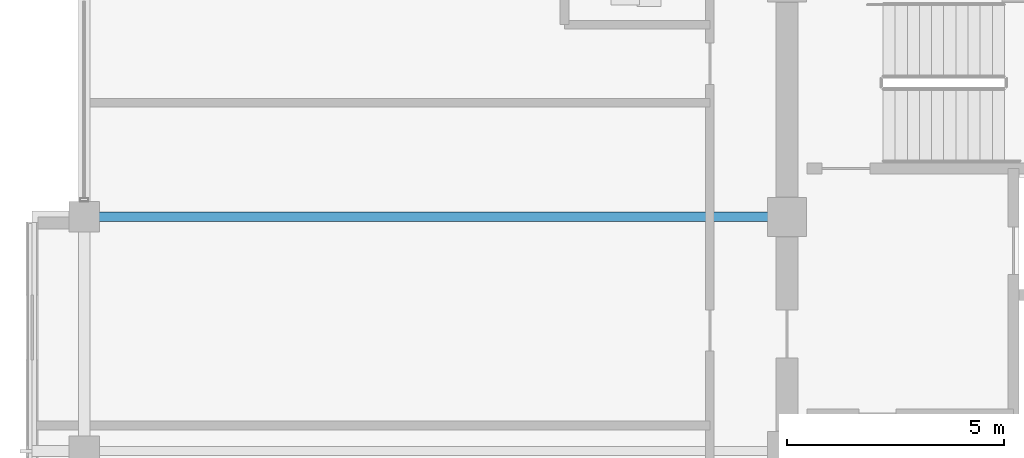
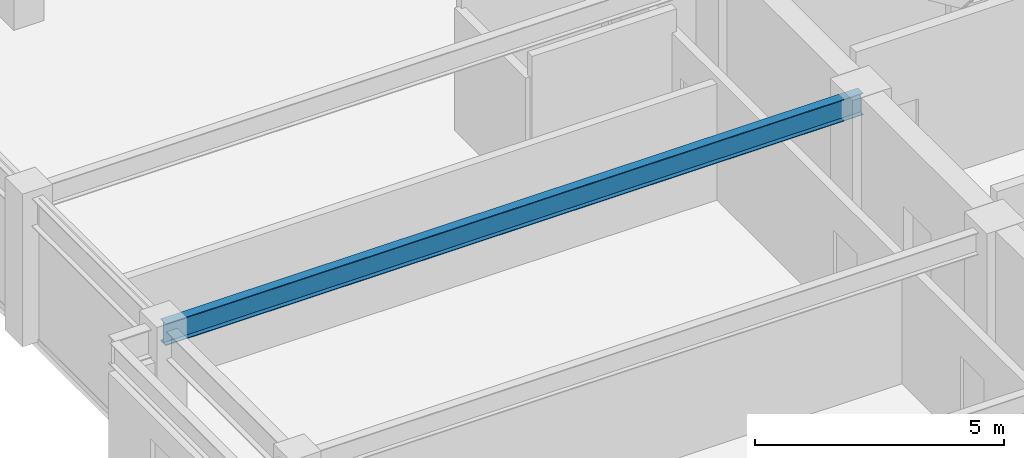
# One storey, part 9 of 29: 1 beam.
"""IFC4 building model written with IfcOpenShell, lengths in metres."""

from ifc_helpers import new_model, si_unit, direction, frame, origin, origin_2d, place, context, subcontext, project, spatial, i_section, extrude, material, material_profile, profile_set, type_object, element, save


model = new_model("IFC4")

# Units and contexts
model_context = context("Model", 3, precision=1e-05, world=origin(), true_north=direction((0.0, 1.0)))
body_context = subcontext(model_context, "Body", "Model", "MODEL_VIEW")
ifc_project = project(units=[si_unit("LENGTHUNIT", "METRE"), si_unit("AREAUNIT", "SQUARE_METRE"), si_unit("VOLUMEUNIT", "CUBIC_METRE"), si_unit("PLANEANGLEUNIT", "RADIAN"), si_unit("MASSUNIT", "GRAM", prefix="KILO")], contexts=[model_context])

# Site, building, storey
site_placement = place(None, origin())
site = spatial("IfcSite", under=ifc_project, at=site_placement, CompositionType="ELEMENT")
building_placement = place(site_placement, origin())
building = spatial("IfcBuilding", under=site, at=building_placement, Name="Surkhivell Harbour Commons", CompositionType="ELEMENT")
storey_placement = place(building_placement, frame((0.0, 0.0, 273.75)))
storey = spatial("IfcBuildingStorey", under=building, at=storey_placement, Name="L71", CompositionType="ELEMENT", Elevation=273.75)

# Beam
ifc_material = material(Name="Steel S355", Category="steel")
ifc_material_profile = material_profile(ifc_material, i_section(OverallWidth=0.2099609375, OverallDepth=0.537109375, WebThickness=0.0107421875, FlangeThickness=0.017333984375, at=origin_2d()), Name="UB533x210x101")
ifc_profile_set = profile_set([ifc_material_profile], Name="Steel S355")
beam_type = type_object("IfcBeamType", Name="BM-GRD-533B", PredefinedType="BEAM", material=ifc_profile_set)
beam_placement = place(storey_placement, frame((-27.0, 5.39990234375, 3.301513671875), z_axis=(1.0, 0.0, 0.0), x_axis=(0.0, 1.0, 0.0)))
element("IfcBeam", 1, at=beam_placement, inside=storey, type_object=beam_type, Name="L71 Floor Girder (-27.0,5.4)", PredefinedType="BEAM", context=body_context, shape_type="SweptSolid", body=[
    extrude(i_section(OverallWidth=0.2099609375, OverallDepth=0.537109375, WebThickness=0.0107421875, FlangeThickness=0.017333984375, at=origin_2d()), origin(), (0.0, 0.0, 1.0), 16.199951171875),
])

save(model, "model.ifc")
